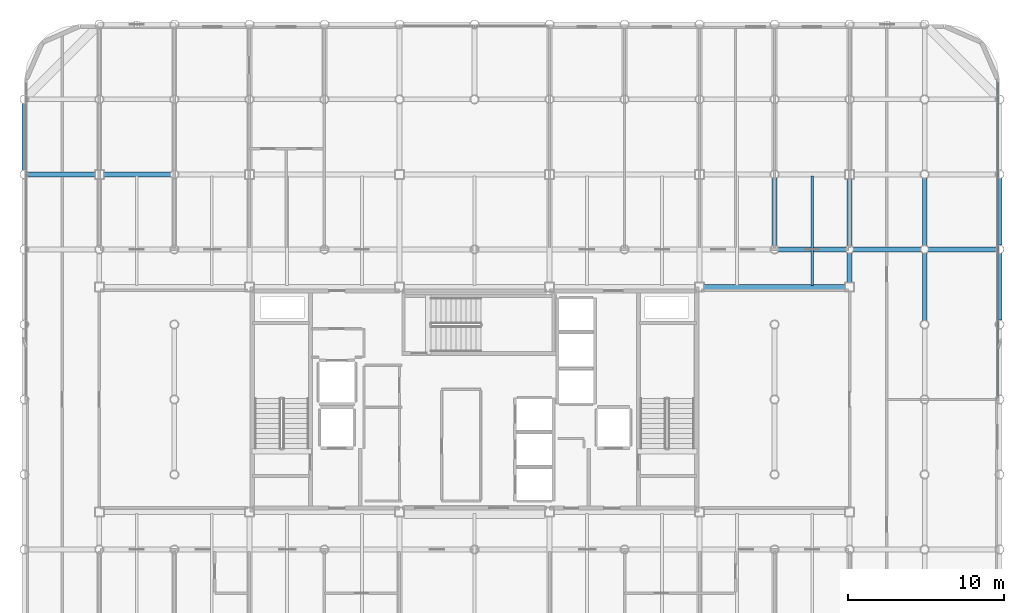
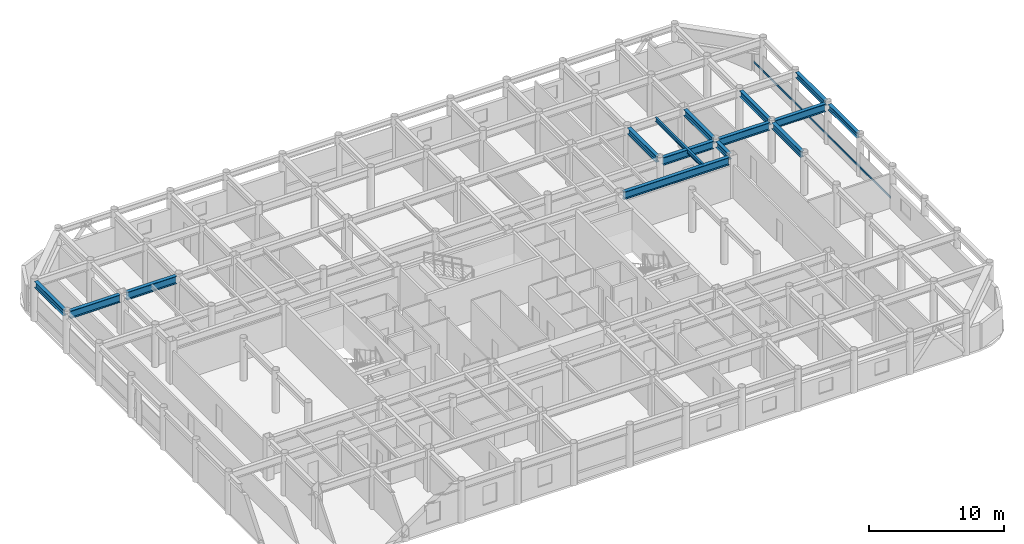
# One storey, part 11 of 22: 15 beams, 1 member, 1 element without a shape of its own.
"""IFC4 building model written with IfcOpenShell, lengths in metres."""

from ifc_helpers import new_model, si_unit, direction, frame, origin, origin_2d, place, context, subcontext, project, spatial, hollow_rectangle, i_section, extrude, material, layer, layer_set, material_profile, profile_set, type_object, element, aggregate, save


model = new_model("IFC4")

# Units and contexts
model_context = context("Model", 3, precision=1e-05, world=origin(), true_north=direction((0.0, 1.0)))
body_context = subcontext(model_context, "Body", "Model", "MODEL_VIEW")
ifc_project = project(units=[si_unit("LENGTHUNIT", "METRE"), si_unit("AREAUNIT", "SQUARE_METRE"), si_unit("VOLUMEUNIT", "CUBIC_METRE"), si_unit("PLANEANGLEUNIT", "RADIAN"), si_unit("MASSUNIT", "GRAM", prefix="KILO")], contexts=[model_context])

# Site, building, storey
site_placement = place(None, origin())
site = spatial("IfcSite", under=ifc_project, at=site_placement, CompositionType="ELEMENT")
building_placement = place(site_placement, origin())
building = spatial("IfcBuilding", under=site, at=building_placement, Name="Kallvorn Hotel Tower", CompositionType="ELEMENT")
storey_placement = place(building_placement, frame((0.0, 0.0, 241.550048828125)))
storey = spatial("IfcBuildingStorey", under=building, at=storey_placement, Name="L60", CompositionType="ELEMENT", Elevation=241.550048828125)

# Beams
ifc_material_1 = material(Name="Structural steel S355JR", Category="steel")
ifc_material_profile_1 = material_profile(ifc_material_1, i_section(OverallWidth=0.300048828125, OverallDepth=0.5, WebThickness=0.014404296875, FlangeThickness=0.028076171875, at=origin_2d()), Name="HE 500 B")
ifc_profile_set_1 = profile_set([ifc_material_profile_1], Name="Structural steel S355JR")
beam_type_1 = type_object("IfcBeamType", Name="BM_HE500B", PredefinedType="SPANDREL", material=ifc_profile_set_1)
beam_1_placement = place(storey_placement, frame((33.60009765625, 5.069580078125, 3.419921875), z_axis=(0.0, 1.0, 0.0), x_axis=(-1.0, 0.0, 0.0)))
element("IfcBeam", 1, at=beam_1_placement, inside=storey, type_object=beam_type_1, Name="L61 Perimeter Spandrel 186", PredefinedType="SPANDREL", context=body_context, shape_type="SweptSolid", body=[
    extrude(i_section(OverallWidth=0.300048828125, OverallDepth=0.5, WebThickness=0.014404296875, FlangeThickness=0.028076171875, at=origin_2d()), origin(), (0.0, 0.0, 1.0), 4.260986328125),
])
beam_2_placement = place(storey_placement, frame((33.60009765625, 9.869384765625, 3.419921875), z_axis=(0.0, 1.0, 0.0), x_axis=(-1.0, 0.0, 0.0)))
element("IfcBeam", 2, at=beam_2_placement, inside=storey, type_object=beam_type_1, Name="L61 Perimeter Spandrel 187", PredefinedType="SPANDREL", context=body_context, shape_type="SweptSolid", body=[
    extrude(i_section(OverallWidth=0.300048828125, OverallDepth=0.5, WebThickness=0.014404296875, FlangeThickness=0.028076171875, at=origin_2d()), origin(), (0.0, 0.0, 1.0), 4.26123046875),
])
ifc_material_2 = material(Name="Structural steel S355JR", Category="steel")
ifc_material_profile_2 = material_profile(ifc_material_2, i_section(OverallWidth=0.300048828125, OverallDepth=0.550048828125, WebThickness=0.014892578125, FlangeThickness=0.029052734375, at=origin_2d()), Name="HE 550 B")
ifc_profile_set_2 = profile_set([ifc_material_profile_2], Name="Structural steel S355JR")
beam_type_2 = type_object("IfcBeamType", Name="BM_HE550B", PredefinedType="SPANDREL", material=ifc_profile_set_2)
for number, where, z_axis, x_axis, name in (
    (3, (-28.800048828125, 14.654541015625, 3.39501953125), (0.0, 1.0, 0.0), (-1.0, 0.0, 0.0), "L61 Primary Y-Girder 80"),
    (4, (19.199951171875, 9.8544921875, 3.39501953125), (0.0, 1.0, 0.0), (-1.0, 0.0, 0.0), "L61 Primary Y-Girder 132"),
):
    element("IfcBeam", number, at=place(storey_placement, frame(where, z_axis=z_axis, x_axis=x_axis)), inside=storey, type_object=beam_type_2, Name=name, PredefinedType="SPANDREL", context=body_context, shape_type="SweptSolid", body=[
        extrude(i_section(OverallWidth=0.300048828125, OverallDepth=0.550048828125, WebThickness=0.014892578125, FlangeThickness=0.029052734375, at=origin_2d()), origin(), (0.0, 0.0, 1.0), 4.291015625),
    ])
beam_3_placement = place(storey_placement, frame((24.0, 7.47509765625, 3.39501953125), z_axis=(0.0, 1.0, 0.0), x_axis=(-1.0, 0.0, 0.0)))
element("IfcBeam", 5, at=beam_3_placement, inside=storey, type_object=beam_type_2, Name="L61 Primary Y-Girder 138", PredefinedType="SPANDREL", context=body_context, shape_type="SweptSolid", body=[
    extrude(i_section(OverallWidth=0.300048828125, OverallDepth=0.550048828125, WebThickness=0.014892578125, FlangeThickness=0.029052734375, at=origin_2d()), origin(), (0.0, 0.0, 1.0), 1.870361328125),
])
beam_4_placement = place(storey_placement, frame((24.0, 9.8544921875, 3.39501953125), z_axis=(0.0, 1.0, 0.0), x_axis=(-1.0, 0.0, 0.0)))
element("IfcBeam", 6, at=beam_4_placement, inside=storey, type_object=beam_type_2, Name="L61 Primary Y-Girder 139", PredefinedType="SPANDREL", context=body_context, shape_type="SweptSolid", body=[
    extrude(i_section(OverallWidth=0.300048828125, OverallDepth=0.550048828125, WebThickness=0.014892578125, FlangeThickness=0.029052734375, at=origin_2d()), origin(), (0.0, 0.0, 1.0), 4.2705078125),
])
for number, where, z_axis, x_axis, name in (
    (7, (28.800048828125, 5.054443359375, 3.39501953125), (0.0, 1.0, 0.0), (-1.0, 0.0, 0.0), "L61 Primary Y-Girder 147"),
    (8, (28.800048828125, 9.8544921875, 3.39501953125), (0.0, 1.0, 0.0), (-1.0, 0.0, 0.0), "L61 Primary Y-Girder 148"),
):
    element("IfcBeam", number, at=place(storey_placement, frame(where, z_axis=z_axis, x_axis=x_axis)), inside=storey, type_object=beam_type_2, Name=name, PredefinedType="SPANDREL", context=body_context, shape_type="SweptSolid", body=[
        extrude(i_section(OverallWidth=0.300048828125, OverallDepth=0.550048828125, WebThickness=0.014892578125, FlangeThickness=0.029052734375, at=origin_2d()), origin(), (0.0, 0.0, 1.0), 4.291015625),
    ])
ifc_material_3 = material(Name="Structural steel S355JR", Category="steel")
ifc_material_profile_3 = material_profile(ifc_material_3, i_section(OverallWidth=0.300048828125, OverallDepth=0.699951171875, WebThickness=0.01708984375, FlangeThickness=0.031982421875, at=origin_2d()), Name="HE 700 B")
ifc_profile_set_3 = profile_set([ifc_material_profile_3], Name="Structural steel S355JR")
beam_type_3 = type_object("IfcBeamType", Name="BM_HE700B", PredefinedType="BEAM", material=ifc_profile_set_3)
beam_5_placement = place(storey_placement, frame((14.675048828125, 7.199951171875, 3.320068359375), z_axis=(1.0, 0.0, 0.0), x_axis=(0.0, 1.0, 0.0)))
element("IfcBeam", 9, at=beam_5_placement, inside=storey, type_object=beam_type_3, Name="L61 Primary X-Girder 40", PredefinedType="BEAM", context=body_context, shape_type="SweptSolid", body=[
    extrude(i_section(OverallWidth=0.300048828125, OverallDepth=0.699951171875, WebThickness=0.01708984375, FlangeThickness=0.031982421875, at=origin_2d()), origin(), (0.0, 0.0, 1.0), 9.050048828125),
])
for number, where, z_axis, x_axis, name in (
    (10, (19.45458984375, 9.60009765625, 3.320068359375), (1.0, 0.0, 0.0), (0.0, 1.0, 0.0), "L61 Primary X-Girder 47"),
    (11, (24.25439453125, 9.60009765625, 3.320068359375), (1.0, 0.0, 0.0), (0.0, 1.0, 0.0), "L61 Primary X-Girder 48"),
    (12, (29.054443359375, 9.60009765625, 3.320068359375), (1.0, 0.0, 0.0), (0.0, 1.0, 0.0), "L61 Primary X-Girder 49"),
):
    element("IfcBeam", number, at=place(storey_placement, frame(where, z_axis=z_axis, x_axis=x_axis)), inside=storey, type_object=beam_type_3, Name=name, PredefinedType="BEAM", context=body_context, shape_type="SweptSolid", body=[
        extrude(i_section(OverallWidth=0.300048828125, OverallDepth=0.699951171875, WebThickness=0.01708984375, FlangeThickness=0.031982421875, at=origin_2d()), origin(), (0.0, 0.0, 1.0), 4.291015625),
    ])
for number, where, z_axis, x_axis, name in (
    (13, (-28.54541015625, 14.39990234375, 3.320068359375), (1.0, 0.0, 0.0), (0.0, 1.0, 0.0), "L61 Primary X-Girder 50"),
    (14, (-23.72509765625, 14.39990234375, 3.320068359375), (1.0, 0.0, 0.0), (0.0, 1.0, 0.0), "L61 Primary X-Girder 51"),
):
    element("IfcBeam", number, at=place(storey_placement, frame(where, z_axis=z_axis, x_axis=x_axis)), inside=storey, type_object=beam_type_3, Name=name, PredefinedType="BEAM", context=body_context, shape_type="SweptSolid", body=[
        extrude(i_section(OverallWidth=0.300048828125, OverallDepth=0.699951171875, WebThickness=0.01708984375, FlangeThickness=0.031982421875, at=origin_2d()), origin(), (0.0, 0.0, 1.0), 4.2705078125),
    ])
ifc_material_4 = material(Name="Structural steel S355JR", Category="steel")
ifc_material_profile_4 = material_profile(ifc_material_4, i_section(OverallWidth=0.169921875, OverallDepth=0.360107421875, WebThickness=0.008056640625, FlangeThickness=0.0126953125, at=origin_2d()), Name="IPE 360")
ifc_profile_set_4 = profile_set([ifc_material_profile_4], Name="Structural steel S355JR")
beam_type_4 = type_object("IfcBeamType", Name="BM_IPE360", PredefinedType="JOIST", material=ifc_profile_set_4)
beam_6_placement = place(storey_placement, frame((21.60009765625, 7.300048828125, 3.489990234375), z_axis=(0.0, 1.0, 0.0), x_axis=(-1.0, 0.0, 0.0)))
element("IfcBeam", 15, at=beam_6_placement, inside=storey, type_object=beam_type_4, Name="L61 Secondary Composite Joist 209", PredefinedType="JOIST", context=body_context, shape_type="SweptSolid", body=[
    extrude(i_section(OverallWidth=0.169921875, OverallDepth=0.360107421875, WebThickness=0.008056640625, FlangeThickness=0.0126953125, at=origin_2d()), origin(), (0.0, 0.0, 1.0), 7.0),
])

# Curtain wall, member
ifc_material_5 = material(Name="Thermally broken black-anodised aluminium AA 6063-T6", Category="aluminium")
ifc_layer = layer(ifc_material_5, 0.22998046875)
ifc_layer_set = layer_set([ifc_layer], Name="CW_SYS_5_HOTEL_HIGH")
curtain_wall_type = type_object("IfcCurtainWallType", Name="CW_SYS_5_HOTEL_HIGH", PredefinedType="USERDEFINED", material=ifc_layer_set)
curtain_wall_placement = place(storey_placement, origin())
curtain_wall = element("IfcCurtainWall", 16, at=curtain_wall_placement, inside=storey, type_object=curtain_wall_type, Name="L60 Dark-Glass Curtain Wall CW-L60-EN", ObjectType="UNITISED CURTAIN WALL", PredefinedType="USERDEFINED")
ifc_material_6 = material(Name="Thermally broken black-anodised aluminium AA 6063-T6", Category="aluminium")
ifc_material_profile_5 = material_profile(ifc_material_6, hollow_rectangle(XDim=0.070068359375, YDim=0.179931640625, WallThickness=0.00390625, at=origin_2d()), Name="TRN 180x70")
ifc_profile_set_5 = profile_set([ifc_material_profile_5], Name="Thermally broken black-anodised aluminium AA 6063-T6")
member_type = type_object("IfcMemberType", Name="CW_TRANSOM_180x70", PredefinedType="USERDEFINED", material=ifc_profile_set_5)
member_placement = place(storey_placement, frame((33.47998046875, 0.06005859375, 0.849853515625), z_axis=(0.0, 1.0, 0.0), x_axis=(-1.0, 0.0, 0.0)))
member = element("IfcMember", 17, at=member_placement, type_object=member_type, Name="CW-L60-EN Transom 00M", ObjectType="TRANSOM", PredefinedType="USERDEFINED", context=body_context, shape_type="SweptSolid", body=[
    extrude(hollow_rectangle(XDim=0.070068359375, YDim=0.179931640625, WallThickness=0.00390625, at=origin_2d()), origin(), (0.0, 0.0, 1.0), 20.300048828125),
])
aggregate(curtain_wall, [member])

save(model, "model.ifc")
